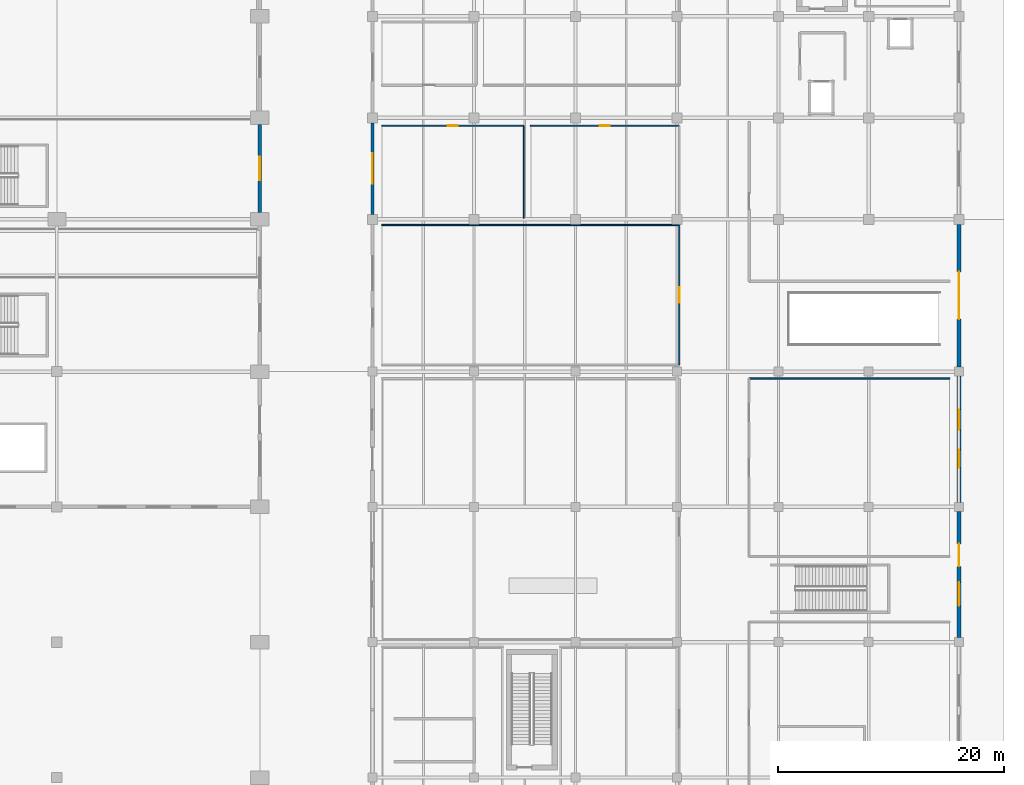
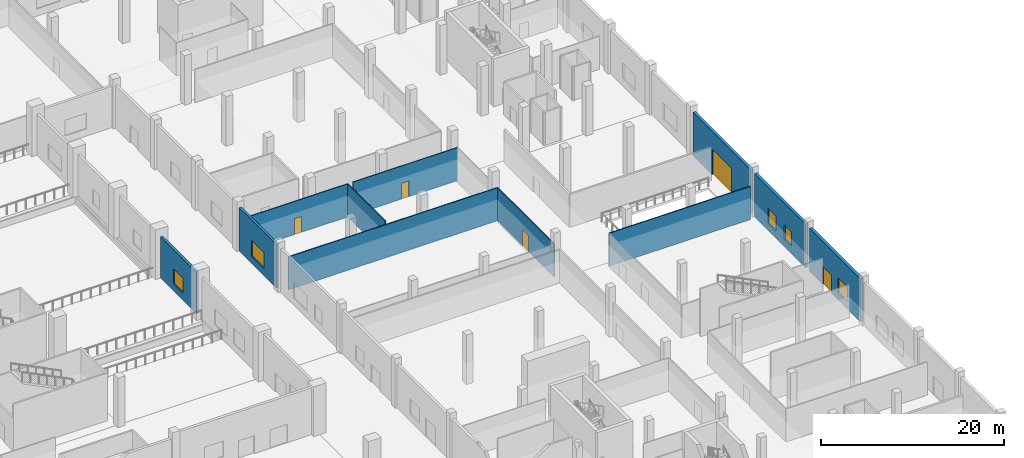
# One storey, part 24 of 65: 11 walls, 5 doors, 5 windows, 10 openings.
"""IFC4 building model written with IfcOpenShell, lengths in metres."""

from ifc_helpers import new_model, si_unit, direction, frame, frame_2d, origin, place, context, subcontext, project, spatial, rectangle, extrude, material, layer, layer_set, type_object, element, fill, save


model = new_model("IFC4")

# Units and contexts
model_context = context("Model", 3, precision=1e-05, world=origin(), true_north=direction((0.0, 1.0)))
body_context = subcontext(model_context, "Body", "Model", "MODEL_VIEW")
ifc_project = project(units=[si_unit("LENGTHUNIT", "METRE"), si_unit("AREAUNIT", "SQUARE_METRE"), si_unit("VOLUMEUNIT", "CUBIC_METRE"), si_unit("PLANEANGLEUNIT", "RADIAN"), si_unit("MASSUNIT", "GRAM", prefix="KILO")], contexts=[model_context])

# Site, building, storey
site_placement = place(None, origin())
site = spatial("IfcSite", under=ifc_project, at=site_placement, CompositionType="ELEMENT")
building_placement = place(site_placement, origin())
building = spatial("IfcBuilding", under=site, at=building_placement, Name="Chuanluo Vaults Station", CompositionType="ELEMENT")
storey_placement = place(building_placement, origin())
storey = spatial("IfcBuildingStorey", under=building, at=storey_placement, Name="L00", CompositionType="ELEMENT", Elevation=0.0)

# Wall, opening, window
ifc_material_1 = material(Name="Concrete C40", Category="concrete")
ifc_layer_1 = layer(ifc_material_1, 0.300048828125)
ifc_layer_set_1 = layer_set([ifc_layer_1], Name="Concrete C40")
wall_type_1 = type_object("IfcWallType", Name="WL-EXT-300", PredefinedType="SOLIDWALL", material=ifc_layer_set_1)
wall_1_placement = place(storey_placement, frame((126.0, 75.89990234375, 0.0), z_axis=(0.0, 0.0, 1.0), x_axis=(0.0, -1.0, 0.0)))
wall_1 = element("IfcWall", 1, at=wall_1_placement, inside=storey, type_object=wall_type_1, Name="Passage train-shed wall 2", PredefinedType="SOLIDWALL", context=body_context, shape_type="SweptSolid", body=[
    extrude(rectangle(XDim=7.7998046875, YDim=0.300048828125, at=frame_2d((3.89990234375, 0.0))), origin(), (0.0, 0.0, 1.0), 5.4951171875),
])
opening_1_placement = place(wall_1_placement, frame((2.85009765625, 0.0, 0.949951171875)))
opening_1 = element("IfcOpeningElement", 2, at=opening_1_placement, cuts=wall_1, Name="Opening W-19", PredefinedType="OPENING", context=body_context, shape_type="SweptSolid", body=[
    extrude(rectangle(XDim=2.10009765625, YDim=2.0, at=frame_2d((1.050048828125, 1.0))), frame((0.0, 0.1599, 0.0), z_axis=(0.0, -1.0, 0.0), x_axis=(1.0, 0.0, 0.0)), (0.0, 0.0, 1.0), 0.32005),
])
ifc_material_2 = material(Name="Double-silver Low-E laminated glass", Category="glass")
window_type_1 = type_object("IfcWindowType", Name="WN-RET-2100x2000", PartitioningType="SINGLE_PANEL", PredefinedType="WINDOW", material=ifc_material_2)
window_1_placement = place(opening_1_placement, origin())
window_1 = element("IfcWindow", 3, at=window_1_placement, inside=storey, type_object=window_type_1, Name="W-034 Ground streetwall window", OverallHeight=2.0, OverallWidth=2.10009765625, PartitioningType="SINGLE_PANEL", PredefinedType="WINDOW", context=body_context, shape_type="SweptSolid", body=[
    extrude(rectangle(XDim=2.10009765625, YDim=2.0, at=frame_2d((1.050048828125, 1.0))), frame((0.0, 0.030029296875, 0.0), z_axis=(0.0, -1.0, 0.0), x_axis=(1.0, 0.0, 0.0)), (0.0, 0.0, 1.0), 0.06005859375),
])
fill(opening_1, window_1)

wall_2_placement = place(storey_placement, frame((136.0, 67.949951171875, 0.0), z_axis=(0.0, 0.0, 1.0), x_axis=(0.0, 1.0, 0.0)))
wall_2 = element("IfcWall", 4, at=wall_2_placement, inside=storey, type_object=wall_type_1, Name="Operations west passage wall 2", PredefinedType="SOLIDWALL", context=body_context, shape_type="SweptSolid", body=[
    extrude(rectangle(XDim=8.10009765625, YDim=0.300048828125, at=frame_2d((4.050048828125, 0.0))), origin(), (0.0, 0.0, 1.0), 5.77001953125),
])
opening_2_placement = place(wall_2_placement, frame((2.699951171875, 0.0, 0.949951171875)))
opening_2 = element("IfcOpeningElement", 5, at=opening_2_placement, cuts=wall_2, Name="Opening W-17", PredefinedType="OPENING", context=body_context, shape_type="SweptSolid", body=[
    extrude(rectangle(XDim=2.699951171875, YDim=2.10009765625, at=frame_2d((1.35009765625, 1.050048828125))), frame((0.0, 0.1599, 0.0), z_axis=(0.0, -1.0, 0.0), x_axis=(1.0, 0.0, 0.0)), (0.0, 0.0, 1.0), 0.32005),
])
ifc_material_3 = material(Name="Double-silver Low-E laminated glass", Category="glass")
window_type_2 = type_object("IfcWindowType", Name="WN-RET-2700x2100", PartitioningType="SINGLE_PANEL", PredefinedType="WINDOW", material=ifc_material_3)
window_2_placement = place(opening_2_placement, origin())
window_2 = element("IfcWindow", 6, at=window_2_placement, inside=storey, type_object=window_type_2, Name="W-044 Ground streetwall window", OverallHeight=2.10009765625, OverallWidth=2.699951171875, PartitioningType="SINGLE_PANEL", PredefinedType="WINDOW", context=body_context, shape_type="SweptSolid", body=[
    extrude(rectangle(XDim=2.699951171875, YDim=2.10009765625, at=frame_2d((1.35009765625, 1.050048828125))), frame((0.0, 0.030029296875, 0.0), z_axis=(0.0, -1.0, 0.0), x_axis=(1.0, 0.0, 0.0)), (0.0, 0.0, 1.0), 0.06005859375),
])
fill(opening_2, window_2)

# Wall, opening, door
ifc_material_4 = material(Name="Concrete C50", Category="concrete")
ifc_layer_2 = layer(ifc_material_4, 0.340087890625)
ifc_layer_set_2 = layer_set([ifc_layer_2], Name="Concrete C50")
wall_type_2 = type_object("IfcWallType", Name="WL-EXT-340", PredefinedType="SOLIDWALL", material=ifc_layer_set_2)
wall_3_placement = place(storey_placement, frame((188.0, 67.050048828125, 0.0), z_axis=(0.0, 0.0, 1.0), x_axis=(0.0, -1.0, 0.0)))
wall_3 = element("IfcWall", 7, at=wall_3_placement, inside=storey, type_object=wall_type_2, Name="Vehicle ramp portal east wall", PredefinedType="SOLIDWALL", context=body_context, shape_type="SweptSolid", body=[
    extrude(rectangle(XDim=12.650146484375, YDim=0.340087890625, at=frame_2d((6.3251953125, 0.0))), origin(), (0.0, 0.0, 1.0), 5.7548828125),
])
opening_3_placement = place(wall_3_placement, frame((4.199951171875, 0.0, 0.0)))
opening_3 = element("IfcOpeningElement", 8, at=opening_3_placement, cuts=wall_3, Name="Opening VG-01", PredefinedType="OPENING", context=body_context, shape_type="SweptSolid", body=[
    extrude(rectangle(XDim=4.199951171875, YDim=3.39990234375, at=frame_2d((2.10009765625, 1.699951171875))), frame((0.0, 0.17992, 0.0), z_axis=(0.0, -1.0, 0.0), x_axis=(1.0, 0.0, 0.0)), (0.0, 0.0, 1.0), 0.36009),
])
ifc_material_5 = material(Name="Fire-rated steel leaf", Category="steel")
door_type_1 = type_object("IfcDoorType", Name="DR-VEH-4200x3400", OperationType="SLIDING_TO_LEFT", PredefinedType="GATE", material=ifc_material_5)
door_1_placement = place(opening_3_placement, origin())
door_1 = element("IfcDoor", 9, at=door_1_placement, inside=storey, type_object=door_type_1, Name="D-042 Basement service ramp roller gate", OperationType="SLIDING_TO_LEFT", OverallHeight=3.39990234375, OverallWidth=4.199951171875, PredefinedType="GATE", context=body_context, shape_type="SweptSolid", body=[
    extrude(rectangle(XDim=4.199951171875, YDim=3.39990234375, at=frame_2d((2.10009765625, 1.699951171875))), frame((0.0, 0.02490234375, 0.0), z_axis=(0.0, -1.0, 0.0), x_axis=(1.0, 0.0, 0.0)), (0.0, 0.0, 1.0), 0.050048828125),
])
fill(opening_3, door_1)

# Wall, openings, door, window
ifc_material_6 = material(Name="Concrete C50", Category="concrete")
ifc_layer_3 = layer(ifc_material_6, 0.360107421875)
ifc_layer_set_3 = layer_set([ifc_layer_3], Name="Concrete C50")
wall_type_3 = type_object("IfcWallType", Name="WL-EXT-360", PredefinedType="SOLIDWALL", material=ifc_layer_set_3)
wall_4_placement = place(storey_placement, frame((188.0, 41.60009765625, 0.0), z_axis=(0.0, 0.0, 1.0), x_axis=(0.0, -1.0, 0.0)))
wall_4 = element("IfcWall", 10, at=wall_4_placement, inside=storey, type_object=wall_type_3, Name="East streetwall 4", PredefinedType="SOLIDWALL", context=body_context, shape_type="SweptSolid", body=[
    extrude(rectangle(XDim=11.2001953125, YDim=0.360107421875, at=frame_2d((5.60009765625, 0.0))), origin(), (0.0, 0.0, 1.0), 5.7548828125),
])
opening_4_placement = place(wall_4_placement, frame((2.86669921875, 0.0, 0.0)))
opening_4 = element("IfcOpeningElement", 11, at=opening_4_placement, cuts=wall_4, Name="Opening D-E06", PredefinedType="OPENING", context=body_context, shape_type="SweptSolid", body=[
    extrude(rectangle(XDim=2.0, YDim=2.39990234375, at=frame_2d((1.0, 1.199951171875))), frame((0.0, 0.19018, 0.0), z_axis=(0.0, -1.0, 0.0), x_axis=(1.0, 0.0, 0.0)), (0.0, 0.0, 1.0), 0.38011),
])
opening_5_placement = place(wall_4_placement, frame((6.283203125, 0.0, 0.949951171875)))
opening_5 = element("IfcOpeningElement", 12, at=opening_5_placement, cuts=wall_4, Name="Opening W-19", PredefinedType="OPENING", context=body_context, shape_type="SweptSolid", body=[
    extrude(rectangle(XDim=2.10009765625, YDim=2.0, at=frame_2d((1.050048828125, 1.0))), frame((0.0, 0.19018, 0.0), z_axis=(0.0, -1.0, 0.0), x_axis=(1.0, 0.0, 0.0)), (0.0, 0.0, 1.0), 0.38011),
])
ifc_material_7 = material(Name="Anodised aluminium 6063-T6", Category="aluminium")
door_type_2 = type_object("IfcDoorType", Name="DR-EXT-2000x2400", OperationType="NOTDEFINED", PredefinedType="DOOR", material=ifc_material_7)
door_2_placement = place(opening_4_placement, origin())
door_2 = element("IfcDoor", 13, at=door_2_placement, inside=storey, type_object=door_type_2, Name="D-041 East streetwall 4 exit door", OperationType="SINGLE_SWING_LEFT", OverallHeight=2.39990234375, OverallWidth=2.0, PredefinedType="DOOR", context=body_context, shape_type="SweptSolid", body=[
    extrude(rectangle(XDim=2.0, YDim=2.39990234375, at=frame_2d((1.0, 1.199951171875))), frame((0.0, 0.02490234375, 0.0), z_axis=(0.0, -1.0, 0.0), x_axis=(1.0, 0.0, 0.0)), (0.0, 0.0, 1.0), 0.050048828125),
])
fill(opening_4, door_2)
window_3_placement = place(opening_5_placement, origin())
window_3 = element("IfcWindow", 14, at=window_3_placement, inside=storey, type_object=window_type_1, Name="W-052 Ground streetwall window", OverallHeight=2.0, OverallWidth=2.10009765625, PartitioningType="SINGLE_PANEL", PredefinedType="WINDOW", context=body_context, shape_type="SweptSolid", body=[
    extrude(rectangle(XDim=2.10009765625, YDim=2.0, at=frame_2d((1.050048828125, 1.0))), frame((0.0, 0.030029296875, 0.0), z_axis=(0.0, -1.0, 0.0), x_axis=(1.0, 0.0, 0.0)), (0.0, 0.0, 1.0), 0.06005859375),
])
fill(opening_5, window_3)

# Wall, openings, windows
wall_5_placement = place(storey_placement, frame((188.0, 53.60009765625, 0.0), z_axis=(0.0, 0.0, 1.0), x_axis=(0.0, -1.0, 0.0)))
wall_5 = element("IfcWall", 15, at=wall_5_placement, inside=storey, type_object=wall_type_3, Name="East streetwall 5", PredefinedType="SOLIDWALL", context=body_context, shape_type="SweptSolid", body=[
    extrude(rectangle(XDim=11.2001953125, YDim=0.360107421875, at=frame_2d((5.60009765625, 0.0))), origin(), (0.0, 0.0, 1.0), 5.7548828125),
])
opening_6_placement = place(wall_5_placement, frame((2.966796875, 0.0, 0.949951171875)))
opening_6 = element("IfcOpeningElement", 16, at=opening_6_placement, cuts=wall_5, Name="Opening W-20", PredefinedType="OPENING", context=body_context, shape_type="SweptSolid", body=[
    extrude(rectangle(XDim=1.800048828125, YDim=2.0, at=frame_2d((0.89990234375, 1.0))), frame((0.0, 0.19018, 0.0), z_axis=(0.0, -1.0, 0.0), x_axis=(1.0, 0.0, 0.0)), (0.0, 0.0, 1.0), 0.38011),
])
opening_7_placement = place(wall_5_placement, frame((6.533203125, 0.0, 0.949951171875)))
opening_7 = element("IfcOpeningElement", 17, at=opening_7_placement, cuts=wall_5, Name="Opening W-21", PredefinedType="OPENING", context=body_context, shape_type="SweptSolid", body=[
    extrude(rectangle(XDim=1.60009765625, YDim=1.89990234375, at=frame_2d((0.800048828125, 0.949951171875))), frame((0.0, 0.19018, 0.0), z_axis=(0.0, -1.0, 0.0), x_axis=(1.0, 0.0, 0.0)), (0.0, 0.0, 1.0), 0.38011),
])
ifc_material_8 = material(Name="Double-silver Low-E laminated glass", Category="glass")
window_type_3 = type_object("IfcWindowType", Name="WN-RET-1600x1900", PartitioningType="SINGLE_PANEL", PredefinedType="WINDOW", material=ifc_material_8)
window_4_placement = place(opening_7_placement, origin())
window_4 = element("IfcWindow", 18, at=window_4_placement, inside=storey, type_object=window_type_3, Name="W-054 Ground streetwall window", OverallHeight=1.89990234375, OverallWidth=1.60009765625, PartitioningType="SINGLE_PANEL", PredefinedType="WINDOW", context=body_context, shape_type="SweptSolid", body=[
    extrude(rectangle(XDim=1.60009765625, YDim=1.89990234375, at=frame_2d((0.800048828125, 0.949951171875))), frame((0.0, 0.030029296875, 0.0), z_axis=(0.0, -1.0, 0.0), x_axis=(1.0, 0.0, 0.0)), (0.0, 0.0, 1.0), 0.06005859375),
])
fill(opening_7, window_4)
ifc_material_9 = material(Name="Double-silver Low-E laminated glass", Category="glass")
window_type_4 = type_object("IfcWindowType", Name="WN-RET-1800x2000", PartitioningType="SINGLE_PANEL", PredefinedType="WINDOW", material=ifc_material_9)
window_5_placement = place(opening_6_placement, origin())
window_5 = element("IfcWindow", 19, at=window_5_placement, inside=storey, type_object=window_type_4, Name="W-053 Ground streetwall window", OverallHeight=2.0, OverallWidth=1.800048828125, PartitioningType="SINGLE_PANEL", PredefinedType="WINDOW", context=body_context, shape_type="SweptSolid", body=[
    extrude(rectangle(XDim=1.800048828125, YDim=2.0, at=frame_2d((0.89990234375, 1.0))), frame((0.0, 0.030029296875, 0.0), z_axis=(0.0, -1.0, 0.0), x_axis=(1.0, 0.0, 0.0)), (0.0, 0.0, 1.0), 0.06005859375),
])
fill(opening_6, window_5)

# Wall, opening, door
ifc_material_10 = material(Name="Masonry blockwork M10", Category="masonry")
ifc_layer_4 = layer(ifc_material_10, 0.10009765625)
ifc_layer_set_4 = layer_set([ifc_layer_4], Name="Masonry blockwork M10")
wall_type_4 = type_object("IfcWallType", Name="WL-PRT-100", PredefinedType="PARTITIONING", material=ifc_layer_set_4)
wall_6_placement = place(storey_placement, frame((150.0, 75.800048828125, 0.0), z_axis=(0.0, 0.0, 1.0), x_axis=(1.0, 0.0, 0.0)))
wall_6 = element("IfcWall", 20, at=wall_6_placement, inside=storey, type_object=wall_type_4, Name="L00-23 Concourse Public Female Toilet N partition", PredefinedType="PARTITIONING", context=body_context, shape_type="SweptSolid", body=[
    extrude(rectangle(XDim=13.199951171875, YDim=0.10009765625, at=frame_2d((6.60009765625, 0.0))), origin(), (0.0, 0.0, 1.0), 4.39990234375),
])
opening_8_placement = place(wall_6_placement, frame((6.14990234375, 0.0, 0.0)))
opening_8 = element("IfcOpeningElement", 21, at=opening_8_placement, cuts=wall_6, Name="Opening D-WC1", PredefinedType="OPENING", context=body_context, shape_type="SweptSolid", body=[
    extrude(rectangle(XDim=0.89990234375, YDim=2.10009765625, at=frame_2d((0.449951171875, 1.050048828125))), frame((0.0, 0.06005, 0.0), z_axis=(0.0, -1.0, 0.0), x_axis=(1.0, 0.0, 0.0)), (0.0, 0.0, 1.0), 0.1201),
])
ifc_material_11 = material(Name="Anodised aluminium 6063-T6", Category="aluminium")
door_type_3 = type_object("IfcDoorType", Name="DR-WC-0900x2100", OperationType="NOTDEFINED", PredefinedType="DOOR", material=ifc_material_11)
door_3_placement = place(opening_8_placement, origin())
door_3 = element("IfcDoor", 22, at=door_3_placement, inside=storey, type_object=door_type_3, Name="D-171 Concourse Public Female Toilet door", OperationType="SINGLE_SWING_RIGHT", OverallHeight=2.10009765625, OverallWidth=0.89990234375, PredefinedType="DOOR", context=body_context, shape_type="SweptSolid", body=[
    extrude(rectangle(XDim=0.89990234375, YDim=2.10009765625, at=frame_2d((0.449951171875, 1.050048828125))), frame((0.0, 0.02490234375, 0.0), z_axis=(0.0, -1.0, 0.0), x_axis=(1.0, 0.0, 0.0)), (0.0, 0.0, 1.0), 0.050048828125),
])
fill(opening_8, door_3)

ifc_material_12 = material(Name="Masonry blockwork M10", Category="masonry")
ifc_layer_5 = layer(ifc_material_12, 0.110107421875)
ifc_layer_set_5 = layer_set([ifc_layer_5], Name="Masonry blockwork M10")
wall_type_5 = type_object("IfcWallType", Name="WL-PRT-110", PredefinedType="PARTITIONING", material=ifc_layer_set_5)
wall_7_placement = place(storey_placement, frame((136.800048828125, 75.800048828125, 0.0), z_axis=(0.0, 0.0, 1.0), x_axis=(1.0, 0.0, 0.0)))
wall_7 = element("IfcWall", 23, at=wall_7_placement, inside=storey, type_object=wall_type_5, Name="L00-22 Concourse Public Male Toilet N partition", PredefinedType="PARTITIONING", context=body_context, shape_type="SweptSolid", body=[
    extrude(rectangle(XDim=12.599853515625, YDim=0.110107421875, at=frame_2d((6.2998046875, 0.0))), origin(), (0.0, 0.0, 1.0), 4.39990234375),
])
opening_9_placement = place(wall_7_placement, frame((5.85009765625, 0.0, 0.0)))
opening_9 = element("IfcOpeningElement", 24, at=opening_9_placement, cuts=wall_7, Name="Opening D-WC1", PredefinedType="OPENING", context=body_context, shape_type="SweptSolid", body=[
    extrude(rectangle(XDim=0.89990234375, YDim=2.10009765625, at=frame_2d((0.449951171875, 1.050048828125))), frame((0.0, 0.06518, 0.0), z_axis=(0.0, -1.0, 0.0), x_axis=(1.0, 0.0, 0.0)), (0.0, 0.0, 1.0), 0.13011),
])
door_4_placement = place(opening_9_placement, origin())
door_4 = element("IfcDoor", 25, at=door_4_placement, inside=storey, type_object=door_type_3, Name="D-170 Concourse Public Male Toilet door", OperationType="SINGLE_SWING_LEFT", OverallHeight=2.10009765625, OverallWidth=0.89990234375, PredefinedType="DOOR", context=body_context, shape_type="SweptSolid", body=[
    extrude(rectangle(XDim=0.89990234375, YDim=2.10009765625, at=frame_2d((0.449951171875, 1.050048828125))), frame((0.0, 0.02490234375, 0.0), z_axis=(0.0, -1.0, 0.0), x_axis=(1.0, 0.0, 0.0)), (0.0, 0.0, 1.0), 0.050048828125),
])
fill(opening_9, door_4)

# Walls
wall_8_placement = place(storey_placement, frame((149.39990234375, 75.800048828125, 0.0), z_axis=(0.0, 0.0, 1.0), x_axis=(0.0, -1.0, 0.0)))
element("IfcWall", 26, at=wall_8_placement, inside=storey, type_object=wall_type_5, Name="L00-22 Concourse Public Male Toilet E partition", PredefinedType="PARTITIONING", context=body_context, shape_type="SweptSolid", body=[
    extrude(rectangle(XDim=8.199951171875, YDim=0.110107421875, at=frame_2d((4.10009765625, 0.0))), origin(), (0.0, 0.0, 1.0), 4.39990234375),
])
ifc_material_13 = material(Name="Masonry blockwork M10", Category="masonry")
ifc_layer_6 = layer(ifc_material_13, 0.1201171875)
ifc_layer_set_6 = layer_set([ifc_layer_6], Name="Masonry blockwork M10")
wall_type_6 = type_object("IfcWallType", Name="WL-PRT-120", PredefinedType="PARTITIONING", material=ifc_layer_set_6)
wall_9_placement = place(storey_placement, frame((136.800048828125, 67.0, 0.0), z_axis=(0.0, 0.0, 1.0), x_axis=(1.0, 0.0, 0.0)))
element("IfcWall", 27, at=wall_9_placement, inside=storey, type_object=wall_type_6, Name="L00-21 First-Aid and Medical Triage Suite N partition", PredefinedType="PARTITIONING", context=body_context, shape_type="SweptSolid", body=[
    extrude(rectangle(XDim=26.39990234375, YDim=0.1201171875, at=frame_2d((13.199951171875, 0.0))), origin(), (0.0, 0.0, 1.0), 4.39990234375),
])

# Wall, opening, door
wall_10_placement = place(storey_placement, frame((163.199951171875, 67.0, 0.0), z_axis=(0.0, 0.0, 1.0), x_axis=(0.0, -1.0, 0.0)))
wall_10 = element("IfcWall", 28, at=wall_10_placement, inside=storey, type_object=wall_type_6, Name="L00-21 First-Aid and Medical Triage Suite E partition", PredefinedType="PARTITIONING", context=body_context, shape_type="SweptSolid", body=[
    extrude(rectangle(XDim=12.39990234375, YDim=0.1201171875, at=frame_2d((6.199951171875, 0.0))), origin(), (0.0, 0.0, 1.0), 4.39990234375),
])
opening_10_placement = place(wall_10_placement, frame((5.52490234375, 0.0, 0.0)))
opening_10 = element("IfcOpeningElement", 29, at=opening_10_placement, cuts=wall_10, Name="Opening D-I04", PredefinedType="OPENING", context=body_context, shape_type="SweptSolid", body=[
    extrude(rectangle(XDim=1.35009765625, YDim=2.10009765625, at=frame_2d((0.675048828125, 1.050048828125))), frame((0.0, 0.07006, 0.0), z_axis=(0.0, -1.0, 0.0), x_axis=(1.0, 0.0, 0.0)), (0.0, 0.0, 1.0), 0.14012),
])
ifc_material_14 = material(Name="Anodised aluminium 6063-T6", Category="aluminium")
door_type_4 = type_object("IfcDoorType", Name="DR-INT-1350x2100", OperationType="NOTDEFINED", PredefinedType="DOOR", material=ifc_material_14)
door_5_placement = place(opening_10_placement, origin())
door_5 = element("IfcDoor", 30, at=door_5_placement, inside=storey, type_object=door_type_4, Name="D-169 First-Aid and Medical Triage Suite door", OperationType="SINGLE_SWING_RIGHT", OverallHeight=2.10009765625, OverallWidth=1.35009765625, PredefinedType="DOOR", context=body_context, shape_type="SweptSolid", body=[
    extrude(rectangle(XDim=1.35009765625, YDim=2.10009765625, at=frame_2d((0.675048828125, 1.050048828125))), frame((0.0, 0.02490234375, 0.0), z_axis=(0.0, -1.0, 0.0), x_axis=(1.0, 0.0, 0.0)), (0.0, 0.0, 1.0), 0.050048828125),
])
fill(opening_10, door_5)

# Wall
ifc_material_15 = material(Name="Masonry blockwork M10", Category="masonry")
ifc_layer_7 = layer(ifc_material_15, 0.1298828125)
ifc_layer_set_7 = layer_set([ifc_layer_7], Name="Masonry blockwork M10")
wall_type_7 = type_object("IfcWallType", Name="WL-PRT-130", PredefinedType="PARTITIONING", material=ifc_layer_set_7)
wall_11_placement = place(storey_placement, frame((169.39990234375, 53.39990234375, 0.0), z_axis=(0.0, 0.0, 1.0), x_axis=(1.0, 0.0, 0.0)))
element("IfcWall", 31, at=wall_11_placement, inside=storey, type_object=wall_type_7, Name="L00-20 Left-Luggage and Locker Hall N partition", PredefinedType="PARTITIONING", context=body_context, shape_type="SweptSolid", body=[
    extrude(rectangle(XDim=17.800048828125, YDim=0.1298828125, at=frame_2d((8.89990234375, 0.0))), origin(), (0.0, 0.0, 1.0), 4.39990234375),
])

save(model, "model.ifc")
